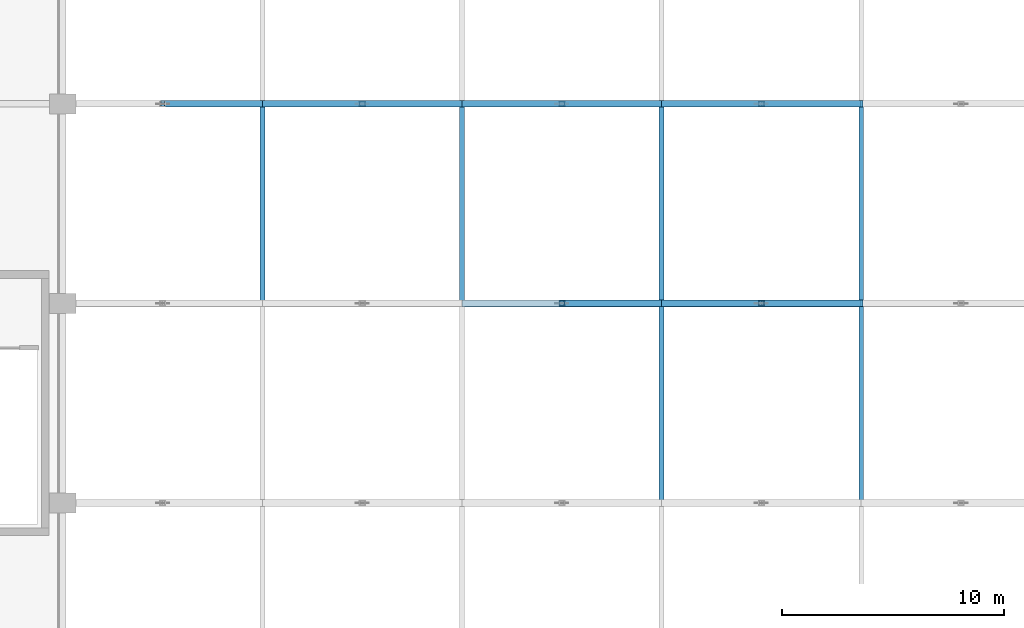
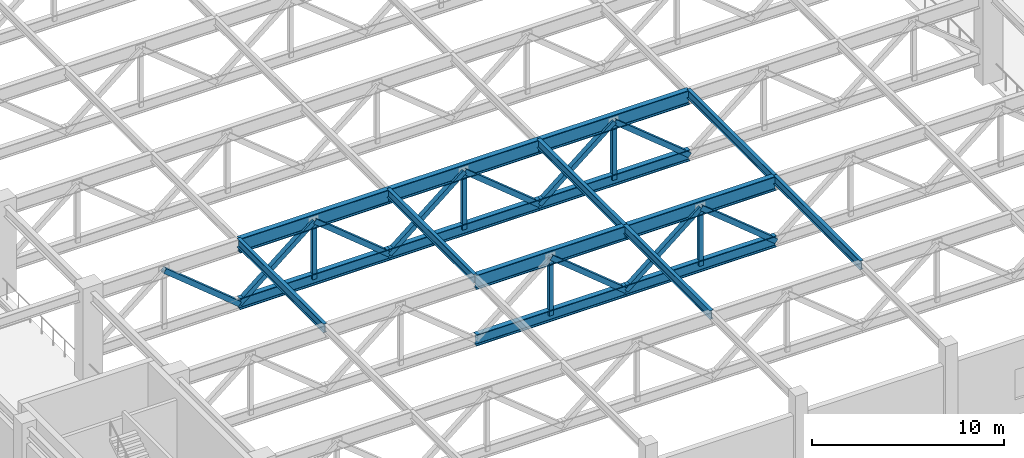
# One storey, part 6 of 223: 16 beams, 15 members.
"""IFC4 building model written with IfcOpenShell, lengths in metres."""

import ifcopenshell
import ifcopenshell.guid

model = None  # the IFC model being written
_history = None  # IfcOwnerHistory: only IFC2X3 demands one
_inside = {}  # id of a spatial element -> (the spatial element, [elements in it])
_under = {}  # id of a project, library or spatial element -> (it, [spatial elements below it])
_declared = {}  # id of a project -> (the project, [libraries it declares])
_typed = {}  # id of a type object -> (the type object, [elements of that type])
_made_of = {}  # id of a material, layer set ... -> (it, [elements and type objects made of it])


def new_model(schema):
    """Start an empty IFC model of exactly this schema.

    Asked for "IFC4X3", IfcOpenShell would pick the latest addendum, in which some entities
    have other attributes; the version numbers below select the first issue.
    IFC2X3 requires an IfcOwnerHistory on every rooted entity: one is made here for all.
    """
    global model, _history
    if schema == "IFC4X3":
        model = ifcopenshell.file(schema_version=(4, 3, 0, 0))
    else:
        model = ifcopenshell.file(schema=schema)
    _inside.clear()
    _under.clear()
    _declared.clear()
    _typed.clear()
    _made_of.clear()
    _history = None
    if model.schema == "IFC2X3":
        org = make("IfcOrganization", Name="unknown")
        user = make(
            "IfcPersonAndOrganization",
            ThePerson=make("IfcPerson", FamilyName="unknown"),
            TheOrganization=org,
        )
        app = make(
            "IfcApplication",
            ApplicationDeveloper=org,
            Version="unknown",
            ApplicationFullName="unknown",
            ApplicationIdentifier="unknown",
        )
        _history = make(
            "IfcOwnerHistory",
            OwningUser=user,
            OwningApplication=app,
            ChangeAction="ADDED",
            CreationDate=0,
        )
    return model


def make(cls, **values):
    """One entity of the class cls with the attributes given. An attribute that is None is left unset."""
    return model.create_entity(
        cls, **{name: value for name, value in values.items() if value is not None}
    )


def rooted(cls, **values):
    """An entity with a GlobalId (a new one), such as an element, a storey or a relation."""
    return make(cls, GlobalId=ifcopenshell.guid.new(), OwnerHistory=_history, **values)


def si_unit(unit_type, name, prefix=None):
    """IfcSIUnit, for example si_unit("LENGTHUNIT", "METRE", prefix="MILLI")."""
    return make("IfcSIUnit", UnitType=unit_type, Prefix=prefix, Name=name)


def assignment(units):
    """IfcUnitAssignment: the units of a project."""
    return None if units is None else make("IfcUnitAssignment", Units=units)


def point(xyz):
    """IfcCartesianPoint."""
    return None if xyz is None else make("IfcCartesianPoint", Coordinates=xyz)


def direction(xyz):
    """IfcDirection."""
    return None if xyz is None else make("IfcDirection", DirectionRatios=xyz)


def frame(location, z_axis=None, x_axis=None):
    """IfcAxis2Placement3D, a coordinate frame: its origin and axes. An axis left out is left unset."""
    return make(
        "IfcAxis2Placement3D",
        Location=point(location),
        Axis=direction(z_axis),
        RefDirection=direction(x_axis),
    )


def frame_2d(location, x_axis=None):
    """IfcAxis2Placement2D, a coordinate frame in the plane: its origin and x axis."""
    return make(
        "IfcAxis2Placement2D", Location=point(location), RefDirection=direction(x_axis)
    )


def origin():
    """The frame at (0, 0, 0) with its axes left unset."""
    return frame((0.0, 0.0, 0.0))


def origin_2d():
    """The frame at (0, 0) in the plane with its x axis left unset."""
    return frame_2d((0.0, 0.0))


def place(relative_to, where):
    """IfcLocalPlacement: puts the frame where relative to a parent placement (None: the world)."""
    return make(
        "IfcLocalPlacement", PlacementRelTo=relative_to, RelativePlacement=where
    )


def context(
    kind, dimensions, precision=None, world=None, true_north=None, identifier=None
):
    """IfcGeometricRepresentationContext, for example the 3D "Model" context."""
    return make(
        "IfcGeometricRepresentationContext",
        ContextIdentifier=identifier,
        ContextType=kind,
        CoordinateSpaceDimension=dimensions,
        Precision=precision,
        WorldCoordinateSystem=world,
        TrueNorth=true_north,
    )


def subcontext(parent, identifier, kind, view, scale=None):
    """IfcGeometricRepresentationSubContext, for example "Body" below "Model"."""
    return make(
        "IfcGeometricRepresentationSubContext",
        ContextIdentifier=identifier,
        ContextType=kind,
        ParentContext=parent,
        TargetScale=scale,
        TargetView=view,
    )


def project(units=None, contexts=None):
    """IfcProject with its units and contexts."""
    return rooted(
        "IfcProject",
        Name="project",
        RepresentationContexts=contexts,
        UnitsInContext=assignment(units),
    )


def spatial(cls, under=None, at=None, **own):
    """A site, building, storey or space (cls), placed at a placement, below another one or the project."""
    s = rooted(cls, ObjectPlacement=at, **own)
    if under is not None:
        _under.setdefault(under.id(), (under, []))[1].append(s)
    return s


def profile(cls, at=None, kind="AREA", **sizes):
    """A parametric profile (cls). Its sizes go by their IFC names, for example OverallWidth=200.0."""
    return make(cls, ProfileType=kind, Position=at, **sizes)


def hollow_rectangle(**sizes):
    """IfcRectangleHollowProfileDef."""
    return profile("IfcRectangleHollowProfileDef", **sizes)


def i_section(**sizes):
    """IfcIShapeProfileDef."""
    return profile("IfcIShapeProfileDef", **sizes)


def extrude(swept, where, along, depth):
    """IfcExtrudedAreaSolid: the profile swept, set in the frame where, extruded along a direction by depth."""
    return make(
        "IfcExtrudedAreaSolid",
        SweptArea=swept,
        Position=where,
        ExtrudedDirection=direction(along),
        Depth=depth,
    )


def shape(context_of_items, identifier, shape_type, items):
    """IfcShapeRepresentation: the items that make up one representation, for example the "Body"."""
    return make(
        "IfcShapeRepresentation",
        ContextOfItems=context_of_items,
        RepresentationIdentifier=identifier,
        RepresentationType=shape_type,
        Items=items,
    )


def material(Name=None, Category=None):
    """IfcMaterial."""
    return make("IfcMaterial", Name=Name, Category=Category)


def material_profile(
    of_material, cross_section, Name=None, Category=None, Priority=None
):
    """IfcMaterialProfile: a cross section and its material."""
    return make(
        "IfcMaterialProfile",
        Name=Name,
        Material=of_material,
        Profile=cross_section,
        Priority=Priority,
        Category=Category,
    )


def profile_set(profiles, Name=None, composite=None):
    """IfcMaterialProfileSet."""
    return make(
        "IfcMaterialProfileSet",
        Name=Name,
        MaterialProfiles=profiles,
        CompositeProfile=composite,
    )


def made_of(thing, what):
    """Note that an element or type object is made of a material, layer set ...; save() writes the relation."""
    if what is not None:
        _made_of.setdefault(what.id(), (what, []))[1].append(thing)
    return thing


def type_object(cls, material=None, **own):
    """A type object (cls), such as IfcWallType, which elements share."""
    return made_of(rooted(cls, **own), material)


def element(
    cls,
    number,
    at=None,
    inside=None,
    cuts=None,
    type_object=None,
    material=None,
    context=None,
    identifier="Body",
    shape_type=None,
    held_by="IfcProductDefinitionShape",
    body=None,
    shapes=None,
    **own,
):
    """One element of the class cls, such as IfcWall. Its Tag is "e" and its number.

    at: its placement. inside: the storey or other place that contains it. cuts: it is an
    opening in that element (IfcRelVoidsElement). A single representation is given by context,
    identifier, shape_type and body (its items); several are given by shapes. held_by: the class
    of the entity that holds the representations. save() writes the other relations.
    """
    e = rooted(cls, Tag="e%d" % number, ObjectPlacement=at, **own)
    if body is not None:
        shapes = [shape(context, identifier, shape_type, body)]
    if shapes is not None:
        e.Representation = make(held_by, Representations=shapes)
    if inside is not None:
        _inside.setdefault(inside.id(), (inside, []))[1].append(e)
    if cuts is not None:
        rooted(
            "IfcRelVoidsElement", RelatingBuildingElement=cuts, RelatedOpeningElement=e
        )
    if type_object is not None:
        _typed.setdefault(type_object.id(), (type_object, []))[1].append(e)
    return made_of(e, material)


def aggregate(whole, parts):
    """IfcRelAggregates: a whole, such as a stair, and the parts it consists of."""
    return rooted("IfcRelAggregates", RelatingObject=whole, RelatedObjects=parts)


def save(model, path):
    """Write the relations noted so far, then the file.

    IfcRelAggregates (storeys below a building ...), IfcRelContainedInSpatialStructure (elements
    in a storey), IfcRelDefinesByType, IfcRelAssociatesMaterial and IfcRelDeclares: one each for
    every whole, place, type object, material and project.
    """
    for whole, parts in _under.values():
        aggregate(whole, parts)
    for where, things in _inside.values():
        rooted(
            "IfcRelContainedInSpatialStructure",
            RelatedElements=things,
            RelatingStructure=where,
        )
    for kind, things in _typed.values():
        rooted("IfcRelDefinesByType", RelatedObjects=things, RelatingType=kind)
    for what, things in _made_of.values():
        rooted("IfcRelAssociatesMaterial", RelatedObjects=things, RelatingMaterial=what)
    for by, libraries in _declared.values():
        rooted("IfcRelDeclares", RelatingContext=by, RelatedDefinitions=libraries)
    model.write(path)


model = new_model("IFC4")

# Units and contexts
model_context = context("Model", 3, precision=1e-05, world=origin(), true_north=direction((0.0, 1.0)))
body_context = subcontext(model_context, "Body", "Model", "MODEL_VIEW")
ifc_project = project(units=[si_unit("LENGTHUNIT", "METRE"), si_unit("AREAUNIT", "SQUARE_METRE"), si_unit("VOLUMEUNIT", "CUBIC_METRE"), si_unit("PLANEANGLEUNIT", "RADIAN"), si_unit("MASSUNIT", "GRAM", prefix="KILO")], contexts=[model_context])

# Site, building, storey
site_placement = place(None, origin())
site = spatial("IfcSite", under=ifc_project, at=site_placement, CompositionType="ELEMENT")
building_placement = place(site_placement, origin())
building = spatial("IfcBuilding", under=site, at=building_placement, Name="Dornveld Trade and Exhibition Forum", CompositionType="ELEMENT")
storey_placement = place(building_placement, frame((0.0, 0.0, 6.0)))
storey = spatial("IfcBuildingStorey", under=building, at=storey_placement, Name="L01", CompositionType="ELEMENT", Elevation=6.0)

# Beams
ifc_material_1 = material(Name="Steel S355J2", Category="steel")
ifc_material_profile_1 = material_profile(ifc_material_1, i_section(OverallWidth=0.2099609375, OverallDepth=0.550048828125, WebThickness=0.010986328125, FlangeThickness=0.01708984375, FilletRadius=0.02392578125, at=origin_2d()), Name="IPE 550")
ifc_profile_set_1 = profile_set([ifc_material_profile_1], Name="Steel S355J2")
beam_type_1 = type_object("IfcBeamType", Name="BM-SEC-550", PredefinedType="BEAM", material=ifc_profile_set_1)
for number, where, z_axis, x_axis, name in (
    (1, (36.0, 54.0, 5.364990234375), (0.0, 1.0, 0.0), (-1.0, 0.0, 0.0), "Hall 3 secondary deck beam 1376"),
    (2, (45.0, 54.0, 5.364990234375), (0.0, 1.0, 0.0), (-1.0, 0.0, 0.0), "Hall 3 secondary deck beam 1387"),
    (3, (54.0, 45.0, 5.364990234375), (0.0, 1.0, 0.0), (-1.0, 0.0, 0.0), "Hall 3 secondary deck beam 1397"),
    (4, (54.0, 54.0, 5.364990234375), (0.0, 1.0, 0.0), (-1.0, 0.0, 0.0), "Hall 3 secondary deck beam 1398"),
    (5, (63.0, 45.0, 5.364990234375), (0.0, 1.0, 0.0), (-1.0, 0.0, 0.0), "Hall 3 secondary deck beam 1408"),
    (6, (63.0, 54.0, 5.364990234375), (0.0, 1.0, 0.0), (-1.0, 0.0, 0.0), "Hall 3 secondary deck beam 1409"),
):
    element("IfcBeam", number, at=place(storey_placement, frame(where, z_axis=z_axis, x_axis=x_axis)), inside=storey, type_object=beam_type_1, Name=name, PredefinedType="BEAM", context=body_context, shape_type="SweptSolid", body=[
        extrude(i_section(OverallWidth=0.2099609375, OverallDepth=0.550048828125, WebThickness=0.010986328125, FlangeThickness=0.01708984375, FilletRadius=0.02392578125, at=origin_2d()), origin(), (0.0, 0.0, 1.0), 9.0),
    ])
ifc_material_2 = material(Name="Steel S355J2", Category="steel")
ifc_material_profile_2 = material_profile(ifc_material_2, i_section(OverallWidth=0.303955078125, OverallDepth=0.716064453125, WebThickness=0.02099609375, FlangeThickness=0.0400390625, FilletRadius=0.027099609375, at=origin_2d()), Name="HEM 700")
ifc_profile_set_2 = profile_set([ifc_material_profile_2], Name="Steel S355J2")
beam_type_2 = type_object("IfcBeamType", Name="BM-TG-BOT700", PredefinedType="USERDEFINED", material=ifc_profile_set_2)
for number, where, z_axis, x_axis, name in (
    (7, (45.0, 54.0, 1.5), (1.0, 0.0, 0.0), (0.0, 1.0, 0.0), "Hall 3 transfer truss 2 bottom chord 3"),
    (8, (54.0, 54.0, 1.5), (1.0, 0.0, 0.0), (0.0, 1.0, 0.0), "Hall 3 transfer truss 2 bottom chord 4"),
    (9, (36.0, 63.0, 1.5), (1.0, 0.0, 0.0), (0.0, 1.0, 0.0), "Hall 3 transfer truss 3 bottom chord 2"),
    (10, (45.0, 63.0, 1.5), (1.0, 0.0, 0.0), (0.0, 1.0, 0.0), "Hall 3 transfer truss 3 bottom chord 3"),
    (11, (54.0, 63.0, 1.5), (1.0, 0.0, 0.0), (0.0, 1.0, 0.0), "Hall 3 transfer truss 3 bottom chord 4"),
):
    element("IfcBeam", number, at=place(storey_placement, frame(where, z_axis=z_axis, x_axis=x_axis)), inside=storey, type_object=beam_type_2, Name=name, ObjectType="GIRDER", PredefinedType="USERDEFINED", context=body_context, shape_type="SweptSolid", body=[
        extrude(i_section(OverallWidth=0.303955078125, OverallDepth=0.716064453125, WebThickness=0.02099609375, FlangeThickness=0.0400390625, FilletRadius=0.027099609375, at=origin_2d()), origin(), (0.0, 0.0, 1.0), 9.0),
    ])
ifc_material_3 = material(Name="Steel S355J2", Category="steel")
ifc_material_profile_3 = material_profile(ifc_material_3, i_section(OverallWidth=0.302001953125, OverallDepth=0.909912109375, WebThickness=0.02099609375, FlangeThickness=0.0400390625, FilletRadius=0.030029296875, at=origin_2d()), Name="HEM 900")
ifc_profile_set_3 = profile_set([ifc_material_profile_3], Name="Steel S355J2")
beam_type_3 = type_object("IfcBeamType", Name="BM-TG-TOP900", PredefinedType="USERDEFINED", material=ifc_profile_set_3)
for number, where, z_axis, x_axis, name in (
    (12, (45.0, 54.0, 5.18505859375), (1.0, 0.0, 0.0), (0.0, 1.0, 0.0), "Hall 3 transfer truss 2 top chord 3"),
    (13, (54.0, 54.0, 5.18505859375), (1.0, 0.0, 0.0), (0.0, 1.0, 0.0), "Hall 3 transfer truss 2 top chord 4"),
    (14, (36.0, 63.0, 5.18505859375), (1.0, 0.0, 0.0), (0.0, 1.0, 0.0), "Hall 3 transfer truss 3 top chord 2"),
    (15, (45.0, 63.0, 5.18505859375), (1.0, 0.0, 0.0), (0.0, 1.0, 0.0), "Hall 3 transfer truss 3 top chord 3"),
    (16, (54.0, 63.0, 5.18505859375), (1.0, 0.0, 0.0), (0.0, 1.0, 0.0), "Hall 3 transfer truss 3 top chord 4"),
):
    element("IfcBeam", number, at=place(storey_placement, frame(where, z_axis=z_axis, x_axis=x_axis)), inside=storey, type_object=beam_type_3, Name=name, ObjectType="GIRDER", PredefinedType="USERDEFINED", context=body_context, shape_type="SweptSolid", body=[
        extrude(i_section(OverallWidth=0.302001953125, OverallDepth=0.909912109375, WebThickness=0.02099609375, FlangeThickness=0.0400390625, FilletRadius=0.030029296875, at=origin_2d()), origin(), (0.0, 0.0, 1.0), 9.0),
    ])

# Members
ifc_material_4 = material(Name="Steel S355J2", Category="steel")
ifc_material_profile_4 = material_profile(ifc_material_4, hollow_rectangle(XDim=0.25, YDim=0.25, WallThickness=0.012451171875, at=origin_2d()), Name="SHS 250x250x12.5")
ifc_profile_set_4 = profile_set([ifc_material_profile_4], Name="Steel S355J2")
member_type_1 = type_object("IfcMemberType", Name="MEM-XFER-STR", PredefinedType="STRUT", material=ifc_profile_set_4)
for number, where, z_axis, x_axis, name in (
    (17, (49.5, 54.0, 1.5), (0.0, 0.0, 1.0), (1.0, 0.0, 0.0), "Transfer truss 2 strut 27"),
    (18, (58.5, 54.0, 1.5), (0.0, 0.0, 1.0), (1.0, 0.0, 0.0), "Transfer truss 2 strut 30"),
    (19, (40.5, 63.0, 1.5), (0.0, 0.0, 1.0), (1.0, 0.0, 0.0), "Transfer truss 3 strut 42"),
    (20, (49.5, 63.0, 1.5), (0.0, 0.0, 1.0), (1.0, 0.0, 0.0), "Transfer truss 3 strut 45"),
    (21, (58.5, 63.0, 1.5), (0.0, 0.0, 1.0), (1.0, 0.0, 0.0), "Transfer truss 3 strut 48"),
):
    element("IfcMember", number, at=place(storey_placement, frame(where, z_axis=z_axis, x_axis=x_axis)), inside=storey, type_object=member_type_1, Name=name, PredefinedType="STRUT", context=body_context, shape_type="SweptSolid", body=[
        extrude(hollow_rectangle(XDim=0.25, YDim=0.25, WallThickness=0.012451171875, at=origin_2d()), origin(), (0.0, 0.0, 1.0), 3.68505859375),
    ])
ifc_material_5 = material(Name="Steel S355J2", Category="steel")
ifc_material_profile_5 = material_profile(ifc_material_5, hollow_rectangle(XDim=0.300048828125, YDim=0.300048828125, WallThickness=0.01611328125, at=origin_2d()), Name="SHS 300x300x16")
ifc_profile_set_5 = profile_set([ifc_material_profile_5], Name="Steel S355J2")
member_type_2 = type_object("IfcMemberType", Name="MEM-XFER-WEB", PredefinedType="BRACE", material=ifc_profile_set_5)
for number, where, z_axis, x_axis, name in (
    (22, (54.0, 54.0, 1.5), (-0.773684181611, 0.0, 0.633571453843), (0.0, -1.0, 0.0), "Transfer truss 2 web 26"),
    (23, (54.0, 54.0, 1.5), (0.773684181611, 0.0, 0.633571453843), (0.0, 1.0, 0.0), "Transfer truss 2 web 28"),
    (24, (63.0, 54.0, 1.5), (-0.773684181611, 0.0, 0.633571453843), (0.0, -1.0, 0.0), "Transfer truss 2 web 29"),
    (25, (36.0, 63.0, 1.5), (-0.773684181611, 0.0, 0.633571453843), (0.0, -1.0, 0.0), "Transfer truss 3 web 38"),
    (26, (36.0, 63.0, 1.5), (0.773684181611, 0.0, 0.633571453843), (0.0, 1.0, 0.0), "Transfer truss 3 web 40"),
    (27, (45.0, 63.0, 1.5), (-0.773684181611, 0.0, 0.633571453843), (0.0, -1.0, 0.0), "Transfer truss 3 web 41"),
    (28, (45.0, 63.0, 1.5), (0.773684181611, 0.0, 0.633571453843), (0.0, 1.0, 0.0), "Transfer truss 3 web 43"),
    (29, (54.0, 63.0, 1.5), (-0.773684181611, 0.0, 0.633571453843), (0.0, -1.0, 0.0), "Transfer truss 3 web 44"),
    (30, (54.0, 63.0, 1.5), (0.773684181611, 0.0, 0.633571453843), (0.0, 1.0, 0.0), "Transfer truss 3 web 46"),
    (31, (63.0, 63.0, 1.5), (-0.773684181611, 0.0, 0.633571453843), (0.0, -1.0, 0.0), "Transfer truss 3 web 47"),
):
    element("IfcMember", number, at=place(storey_placement, frame(where, z_axis=z_axis, x_axis=x_axis)), inside=storey, type_object=member_type_2, Name=name, PredefinedType="BRACE", context=body_context, shape_type="SweptSolid", body=[
        extrude(hollow_rectangle(XDim=0.300048828125, YDim=0.300048828125, WallThickness=0.01611328125, at=origin_2d()), origin(), (0.0, 0.0, 1.0), 5.81640625),
    ])

save(model, "model.ifc")
